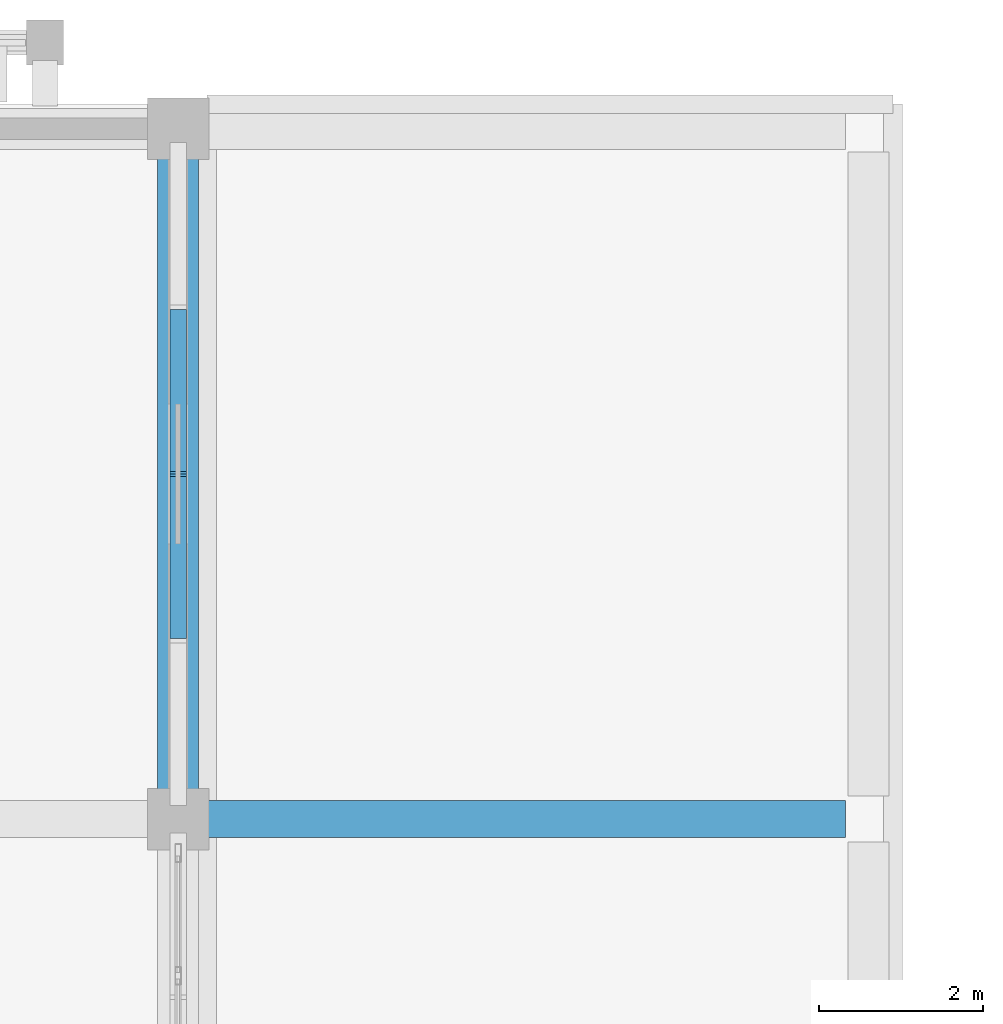
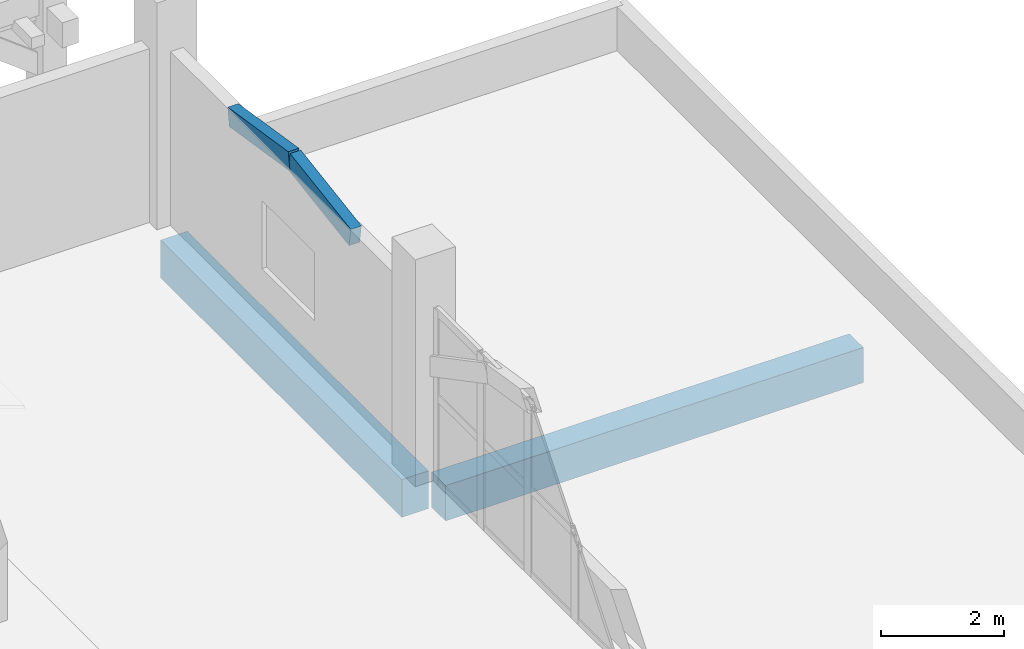
# One storey, part 17 of 34: 2 beams, 2 members.
"""IFC4 building model written with IfcOpenShell, lengths in metres."""

from ifc_helpers import new_model, si_unit, direction, frame, origin, origin_2d, place, context, subcontext, project, spatial, rectangle, extrude, material, material_profile, profile_set, type_object, element, save


model = new_model("IFC4")

# Units and contexts
model_context = context("Model", 3, precision=1e-05, world=origin(), true_north=direction((0.0, 1.0)))
body_context = subcontext(model_context, "Body", "Model", "MODEL_VIEW")
ifc_project = project(units=[si_unit("LENGTHUNIT", "METRE"), si_unit("AREAUNIT", "SQUARE_METRE"), si_unit("VOLUMEUNIT", "CUBIC_METRE"), si_unit("PLANEANGLEUNIT", "RADIAN"), si_unit("MASSUNIT", "GRAM", prefix="KILO")], contexts=[model_context])

# Site, building, storey
site_placement = place(None, origin())
site = spatial("IfcSite", under=ifc_project, at=site_placement, CompositionType="ELEMENT")
building_placement = place(site_placement, origin())
building = spatial("IfcBuilding", under=site, at=building_placement, Name="Xazarin Passage Department Store", CompositionType="ELEMENT")
storey_placement = place(building_placement, frame((0.0, 0.0, 18.89990234375)))
storey = spatial("IfcBuildingStorey", under=building, at=storey_placement, Name="L04", CompositionType="ELEMENT", Elevation=18.89990234375)

# Beams
ifc_material_1 = material(Name="Concrete C35/45", Category="concrete")
ifc_material_profile_1 = material_profile(ifc_material_1, rectangle(XDim=0.449951171875, YDim=0.699951171875, at=origin_2d()), Name="RC 450x700")
ifc_profile_set_1 = profile_set([ifc_material_profile_1], Name="Concrete C35/45")
beam_type_1 = type_object("IfcBeamType", Name="STR-BM-G450x700", PredefinedType="BEAM", material=ifc_profile_set_1)
beam_1_placement = place(storey_placement, frame((42.280029296875, 101.60009765625, -0.64990234375), z_axis=(1.0, 0.0, 0.0), x_axis=(0.0, 1.0, 0.0)))
element("IfcBeam", 1, at=beam_1_placement, inside=storey, type_object=beam_type_1, Name="L04 Grid Beam P/6-7", PredefinedType="BEAM", context=body_context, shape_type="SweptSolid", body=[
    extrude(rectangle(XDim=0.449951171875, YDim=0.699951171875, at=origin_2d()), origin(), (0.0, 0.0, 1.0), 7.840087890625),
])
ifc_material_profile_2 = material_profile(ifc_material_1, rectangle(XDim=0.5, YDim=0.75, at=origin_2d()), Name="RC 500x750")
ifc_profile_set_2 = profile_set([ifc_material_profile_2], Name="Concrete C35/45")
beam_type_2 = type_object("IfcBeamType", Name="STR-BM-SP500x750", PredefinedType="SPANDREL", material=ifc_profile_set_2)
beam_2_placement = place(storey_placement, frame((42.0, 101.8798828125, -0.6748046875), z_axis=(0.0, 1.0, 0.0), x_axis=(-1.0, 0.0, 0.0)))
element("IfcBeam", 2, at=beam_2_placement, inside=storey, type_object=beam_type_2, Name="L04 Grid Beam 6/P-Q", PredefinedType="SPANDREL", context=body_context, shape_type="SweptSolid", body=[
    extrude(rectangle(XDim=0.5, YDim=0.75, at=origin_2d()), origin(), (0.0, 0.0, 1.0), 7.840087890625),
])

# Members
ifc_material_2 = material(Name="Concrete C40/50", Category="concrete")
ifc_material_profile_3 = material_profile(ifc_material_2, rectangle(XDim=0.199951171875, YDim=0.360107421875, at=origin_2d()), Name="RC 200x360")
ifc_profile_set_3 = profile_set([ifc_material_profile_3], Name="Concrete C40/50")
member_type = type_object("IfcMemberType", Name="STR-MEM-ARC360", PredefinedType="CHORD", material=ifc_profile_set_3)
member_1_placement = place(storey_placement, frame((42.0, 103.824951171875, 3.2705078125), z_axis=(0.0, 0.987938581312, 0.154846244883), x_axis=(-1.0, 0.0, 0.0)))
element("IfcMember", 3, at=member_1_placement, inside=storey, type_object=member_type, Name="L04 V1 Upper Setback Pierced Arch 027.2", PredefinedType="CHORD", context=body_context, shape_type="SweptSolid", body=[
    extrude(rectangle(XDim=0.199951171875, YDim=0.360107421875, at=origin_2d()), origin(), (0.0, 0.0, 1.0), 1.999267578125),
])
member_2_placement = place(storey_placement, frame((42.0, 105.800048828125, 3.580078125), z_axis=(0.0, 0.987935652704, -0.154864928623), x_axis=(-1.0, 0.0, 0.0)))
element("IfcMember", 4, at=member_2_placement, inside=storey, type_object=member_type, Name="L04 V1 Upper Setback Pierced Arch 027.3", PredefinedType="CHORD", context=body_context, shape_type="SweptSolid", body=[
    extrude(rectangle(XDim=0.199951171875, YDim=0.360107421875, at=origin_2d()), origin(), (0.0, 0.0, 1.0), 1.9990234375),
])

save(model, "model.ifc")
